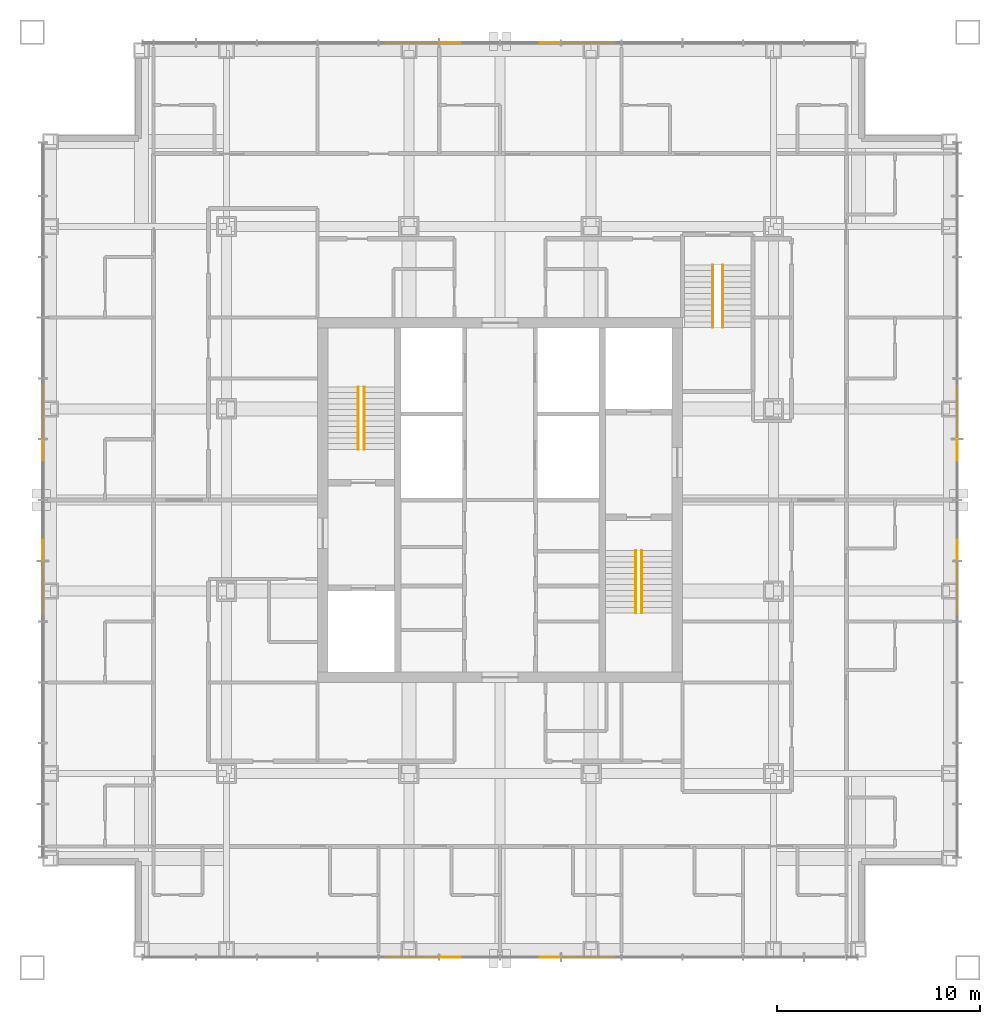
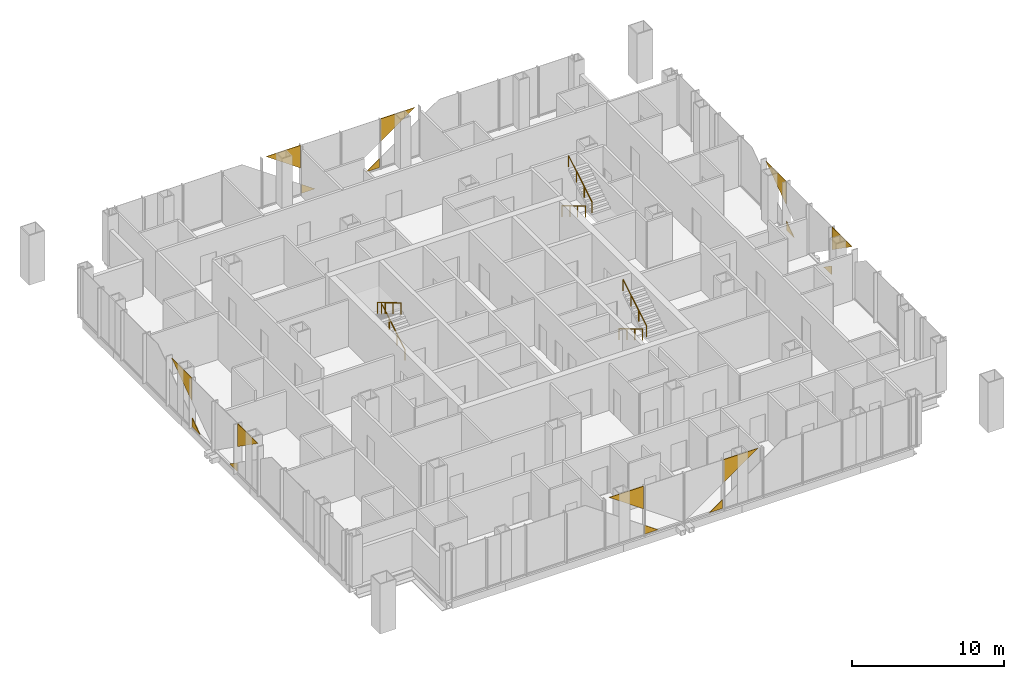
# One storey, part 17 of 17: 16 coverings, 6 railings.
"""IFC4 building model written with IfcOpenShell, lengths in metres."""

from ifc_helpers import new_model, si_unit, direction, frame, origin, origin_2d, place, context, subcontext, project, spatial, polyline, circle, outline, extrude, material, layer, layer_set, type_object, element, save


model = new_model("IFC4")

# Units and contexts
model_context = context("Model", 3, precision=1e-05, world=origin(), true_north=direction((0.0, 1.0)))
body_context = subcontext(model_context, "Body", "Model", "MODEL_VIEW")
ifc_project = project(units=[si_unit("LENGTHUNIT", "METRE"), si_unit("AREAUNIT", "SQUARE_METRE"), si_unit("VOLUMEUNIT", "CUBIC_METRE"), si_unit("PLANEANGLEUNIT", "RADIAN"), si_unit("MASSUNIT", "GRAM", prefix="KILO")], contexts=[model_context])

# Site, building, storey
site_placement = place(None, origin())
site = spatial("IfcSite", under=ifc_project, at=site_placement, CompositionType="ELEMENT")
building_placement = place(site_placement, origin())
building = spatial("IfcBuilding", under=site, at=building_placement, Name="Malebo Sky Hospital", CompositionType="ELEMENT")
storey_placement = place(building_placement, frame((0.0, 0.0, 193.0)))
storey = spatial("IfcBuildingStorey", under=building, at=storey_placement, Name="L46", CompositionType="ELEMENT", Elevation=193.0)

# Coverings
ifc_material_1 = material(Name="Anodised aluminium, natural silver insulated infill panel", Category="aluminium")
ifc_layer = layer(ifc_material_1, 0.0400390625)
ifc_layer_set = layer_set([ifc_layer], Name="BRACE INFILL PANEL 40")
covering_type = type_object("IfcCoveringType", Name="BRACE INFILL PANEL 40", PredefinedType="CLADDING", material=ifc_layer_set)
covering_1_placement = place(storey_placement, frame((55.6533203125, 84.574951171875, 2.150634765625), z_axis=(0.0, 0.0, 1.0), x_axis=(1.0, 0.0, 0.0)))
element("IfcCovering", 1, at=covering_1_placement, inside=storey, type_object=covering_type, Name="Brace infill panel 6.1", PredefinedType="CLADDING", context=body_context, shape_type="SweptSolid", body=[
    extrude(outline(polyline([(1.309326171875, 0.0), (1.309326171875, 1.83935546875), (-1.309326171875, 1.83935546875), (1.309326171875, 0.0)])), frame((0.0, 0.02001953125, 0.0), z_axis=(0.0, -1.0, 0.0), x_axis=(1.0, 0.0, 0.0)), (0.0, 0.0, 1.0), 0.0400390625),
])
covering_2_placement = place(storey_placement, frame((57.54541015625, 84.574951171875, 0.10009765625), z_axis=(0.0, 0.0, 1.0), x_axis=(1.0, 0.0, 0.0)))
element("IfcCovering", 2, at=covering_2_placement, inside=storey, type_object=covering_type, Name="Brace infill panel 7.1", PredefinedType="CLADDING", context=body_context, shape_type="SweptSolid", body=[
    extrude(outline(polyline([(-0.508056640625, 0.0), (0.508056640625, 0.0), (-0.508056640625, 0.713623046875), (-0.508056640625, 0.0)])), frame((0.0, 0.02001953125, 0.0), z_axis=(0.0, -1.0, 0.0), x_axis=(1.0, 0.0, 0.0)), (0.0, 0.0, 1.0), 0.0400390625),
])
covering_3_placement = place(storey_placement, frame((62.45458984375, 84.574951171875, 0.10009765625), z_axis=(0.0, 0.0, 1.0), x_axis=(1.0, 0.0, 0.0)))
element("IfcCovering", 3, at=covering_3_placement, inside=storey, type_object=covering_type, Name="Brace infill panel 8.1", PredefinedType="CLADDING", context=body_context, shape_type="SweptSolid", body=[
    extrude(outline(polyline([(-0.508056640625, 0.0), (0.508056640625, 0.0), (0.508056640625, 0.713623046875), (-0.508056640625, 0.0)])), frame((0.0, 0.02001953125, 0.0), z_axis=(0.0, -1.0, 0.0), x_axis=(1.0, 0.0, 0.0)), (0.0, 0.0, 1.0), 0.0400390625),
])
covering_4_placement = place(storey_placement, frame((64.3466796875, 84.574951171875, 2.150634765625), z_axis=(0.0, 0.0, 1.0), x_axis=(1.0, 0.0, 0.0)))
element("IfcCovering", 4, at=covering_4_placement, inside=storey, type_object=covering_type, Name="Brace infill panel 9.1", PredefinedType="CLADDING", context=body_context, shape_type="SweptSolid", body=[
    extrude(outline(polyline([(-1.309326171875, 0.0), (1.309326171875, 1.83935546875), (-1.309326171875, 1.83935546875), (-1.309326171875, 0.0)])), frame((0.0, 0.02001953125, 0.0), z_axis=(0.0, -1.0, 0.0), x_axis=(1.0, 0.0, 0.0)), (0.0, 0.0, 1.0), 0.0400390625),
])
covering_5_placement = place(storey_placement, frame((37.425048828125, 57.6533203125, 2.150634765625), z_axis=(0.0, 0.0, 1.0), x_axis=(0.0, 1.0, 0.0)))
element("IfcCovering", 5, at=covering_5_placement, inside=storey, type_object=covering_type, Name="Brace infill panel 6.1", PredefinedType="CLADDING", context=body_context, shape_type="SweptSolid", body=[
    extrude(outline(polyline([(1.309326171875, 0.0), (1.309326171875, 1.83935546875), (-1.309326171875, 1.83935546875), (1.309326171875, 0.0)])), frame((0.0, 0.02001953125, 0.0), z_axis=(0.0, -1.0, 0.0), x_axis=(1.0, 0.0, 0.0)), (0.0, 0.0, 1.0), 0.0400390625),
])
covering_6_placement = place(storey_placement, frame((37.425048828125, 59.54541015625, 0.10009765625), z_axis=(0.0, 0.0, 1.0), x_axis=(0.0, 1.0, 0.0)))
element("IfcCovering", 6, at=covering_6_placement, inside=storey, type_object=covering_type, Name="Brace infill panel 7.1", PredefinedType="CLADDING", context=body_context, shape_type="SweptSolid", body=[
    extrude(outline(polyline([(-0.508056640625, 0.0), (0.508056640625, 0.0), (-0.508056640625, 0.713623046875), (-0.508056640625, 0.0)])), frame((0.0, 0.02001953125, 0.0), z_axis=(0.0, -1.0, 0.0), x_axis=(1.0, 0.0, 0.0)), (0.0, 0.0, 1.0), 0.0400390625),
])
covering_7_placement = place(storey_placement, frame((37.425048828125, 64.45458984375, 0.10009765625), z_axis=(0.0, 0.0, 1.0), x_axis=(0.0, 1.0, 0.0)))
element("IfcCovering", 7, at=covering_7_placement, inside=storey, type_object=covering_type, Name="Brace infill panel 8.1", PredefinedType="CLADDING", context=body_context, shape_type="SweptSolid", body=[
    extrude(outline(polyline([(-0.508056640625, 0.0), (0.508056640625, 0.0), (0.508056640625, 0.713623046875), (-0.508056640625, 0.0)])), frame((0.0, 0.02001953125, 0.0), z_axis=(0.0, -1.0, 0.0), x_axis=(1.0, 0.0, 0.0)), (0.0, 0.0, 1.0), 0.0400390625),
])
covering_8_placement = place(storey_placement, frame((37.425048828125, 66.3466796875, 2.150634765625), z_axis=(0.0, 0.0, 1.0), x_axis=(0.0, 1.0, 0.0)))
element("IfcCovering", 8, at=covering_8_placement, inside=storey, type_object=covering_type, Name="Brace infill panel 9.1", PredefinedType="CLADDING", context=body_context, shape_type="SweptSolid", body=[
    extrude(outline(polyline([(-1.309326171875, 0.0), (1.309326171875, 1.83935546875), (-1.309326171875, 1.83935546875), (-1.309326171875, 0.0)])), frame((0.0, 0.02001953125, 0.0), z_axis=(0.0, -1.0, 0.0), x_axis=(1.0, 0.0, 0.0)), (0.0, 0.0, 1.0), 0.0400390625),
])
covering_9_placement = place(storey_placement, frame((64.3466796875, 39.425048828125, 2.150634765625), z_axis=(0.0, 0.0, 1.0), x_axis=(-1.0, 0.0, 0.0)))
element("IfcCovering", 9, at=covering_9_placement, inside=storey, type_object=covering_type, Name="Brace infill panel 6.1", PredefinedType="CLADDING", context=body_context, shape_type="SweptSolid", body=[
    extrude(outline(polyline([(1.309326171875, 0.0), (1.309326171875, 1.83935546875), (-1.309326171875, 1.83935546875), (1.309326171875, 0.0)])), frame((0.0, 0.02001953125, 0.0), z_axis=(0.0, -1.0, 0.0), x_axis=(1.0, 0.0, 0.0)), (0.0, 0.0, 1.0), 0.0400390625),
])
covering_10_placement = place(storey_placement, frame((62.45458984375, 39.425048828125, 0.10009765625), z_axis=(0.0, 0.0, 1.0), x_axis=(-1.0, 0.0, 0.0)))
element("IfcCovering", 10, at=covering_10_placement, inside=storey, type_object=covering_type, Name="Brace infill panel 7.1", PredefinedType="CLADDING", context=body_context, shape_type="SweptSolid", body=[
    extrude(outline(polyline([(-0.508056640625, 0.0), (0.508056640625, 0.0), (-0.508056640625, 0.713623046875), (-0.508056640625, 0.0)])), frame((0.0, 0.02001953125, 0.0), z_axis=(0.0, -1.0, 0.0), x_axis=(1.0, 0.0, 0.0)), (0.0, 0.0, 1.0), 0.0400390625),
])
covering_11_placement = place(storey_placement, frame((57.54541015625, 39.425048828125, 0.10009765625), z_axis=(0.0, 0.0, 1.0), x_axis=(-1.0, 0.0, 0.0)))
element("IfcCovering", 11, at=covering_11_placement, inside=storey, type_object=covering_type, Name="Brace infill panel 8.1", PredefinedType="CLADDING", context=body_context, shape_type="SweptSolid", body=[
    extrude(outline(polyline([(-0.508056640625, 0.0), (0.508056640625, 0.0), (0.508056640625, 0.713623046875), (-0.508056640625, 0.0)])), frame((0.0, 0.02001953125, 0.0), z_axis=(0.0, -1.0, 0.0), x_axis=(1.0, 0.0, 0.0)), (0.0, 0.0, 1.0), 0.0400390625),
])
covering_12_placement = place(storey_placement, frame((55.6533203125, 39.425048828125, 2.150634765625), z_axis=(0.0, 0.0, 1.0), x_axis=(-1.0, 0.0, 0.0)))
element("IfcCovering", 12, at=covering_12_placement, inside=storey, type_object=covering_type, Name="Brace infill panel 9.1", PredefinedType="CLADDING", context=body_context, shape_type="SweptSolid", body=[
    extrude(outline(polyline([(-1.309326171875, 0.0), (1.309326171875, 1.83935546875), (-1.309326171875, 1.83935546875), (-1.309326171875, 0.0)])), frame((0.0, 0.02001953125, 0.0), z_axis=(0.0, -1.0, 0.0), x_axis=(1.0, 0.0, 0.0)), (0.0, 0.0, 1.0), 0.0400390625),
])
covering_13_placement = place(storey_placement, frame((82.574951171875, 66.3466796875, 2.150634765625), z_axis=(0.0, 0.0, 1.0), x_axis=(0.0, -1.0, 0.0)))
element("IfcCovering", 13, at=covering_13_placement, inside=storey, type_object=covering_type, Name="Brace infill panel 6.1", PredefinedType="CLADDING", context=body_context, shape_type="SweptSolid", body=[
    extrude(outline(polyline([(1.309326171875, 0.0), (1.309326171875, 1.83935546875), (-1.309326171875, 1.83935546875), (1.309326171875, 0.0)])), frame((0.0, 0.02001953125, 0.0), z_axis=(0.0, -1.0, 0.0), x_axis=(1.0, 0.0, 0.0)), (0.0, 0.0, 1.0), 0.0400390625),
])
covering_14_placement = place(storey_placement, frame((82.574951171875, 64.45458984375, 0.10009765625), z_axis=(0.0, 0.0, 1.0), x_axis=(0.0, -1.0, 0.0)))
element("IfcCovering", 14, at=covering_14_placement, inside=storey, type_object=covering_type, Name="Brace infill panel 7.1", PredefinedType="CLADDING", context=body_context, shape_type="SweptSolid", body=[
    extrude(outline(polyline([(-0.508056640625, 0.0), (0.508056640625, 0.0), (-0.508056640625, 0.713623046875), (-0.508056640625, 0.0)])), frame((0.0, 0.02001953125, 0.0), z_axis=(0.0, -1.0, 0.0), x_axis=(1.0, 0.0, 0.0)), (0.0, 0.0, 1.0), 0.0400390625),
])
covering_15_placement = place(storey_placement, frame((82.574951171875, 59.54541015625, 0.10009765625), z_axis=(0.0, 0.0, 1.0), x_axis=(0.0, -1.0, 0.0)))
element("IfcCovering", 15, at=covering_15_placement, inside=storey, type_object=covering_type, Name="Brace infill panel 8.1", PredefinedType="CLADDING", context=body_context, shape_type="SweptSolid", body=[
    extrude(outline(polyline([(-0.508056640625, 0.0), (0.508056640625, 0.0), (0.508056640625, 0.713623046875), (-0.508056640625, 0.0)])), frame((0.0, 0.02001953125, 0.0), z_axis=(0.0, -1.0, 0.0), x_axis=(1.0, 0.0, 0.0)), (0.0, 0.0, 1.0), 0.0400390625),
])
covering_16_placement = place(storey_placement, frame((82.574951171875, 57.6533203125, 2.150634765625), z_axis=(0.0, 0.0, 1.0), x_axis=(0.0, -1.0, 0.0)))
element("IfcCovering", 16, at=covering_16_placement, inside=storey, type_object=covering_type, Name="Brace infill panel 9.1", PredefinedType="CLADDING", context=body_context, shape_type="SweptSolid", body=[
    extrude(outline(polyline([(-1.309326171875, 0.0), (1.309326171875, 1.83935546875), (-1.309326171875, 1.83935546875), (-1.309326171875, 0.0)])), frame((0.0, 0.02001953125, 0.0), z_axis=(0.0, -1.0, 0.0), x_axis=(1.0, 0.0, 0.0)), (0.0, 0.0, 1.0), 0.0400390625),
])

# Railings
ifc_material_2 = material(Name="Stainless steel tube", Category="steel")
railing_type = type_object("IfcRailingType", Name="STAIR HANDRAIL 900", PredefinedType="HANDRAIL", material=ifc_material_2)
railing_1_placement = place(storey_placement, frame((53.300048828125, 64.5, 0.166748046875)))
element("IfcRailing", 17, at=railing_1_placement, inside=storey, type_object=railing_type, Name="Stair handrail S1 flight 1", PredefinedType="HANDRAIL", context=body_context, shape_type="SweptSolid", body=[
    extrude(circle(Radius=0.02392578125, at=origin_2d()), frame((0.0, 0.0, 0.8759765625), z_axis=(0.0, 0.859308565015, 0.511457515432), x_axis=(-1.0, 0.0, 0.0)), (0.0, 0.0, 1.0), 3.58447265625),
    extrude(circle(Radius=0.02099609375, at=origin_2d()), origin(), (0.0, 0.0, 1.0), 0.851806640625),
    extrude(circle(Radius=0.02099609375, at=origin_2d()), frame((0.0, 1.026611328125, 0.611083984375)), (0.0, 0.0, 1.0), 0.851806640625),
    extrude(circle(Radius=0.02099609375, at=origin_2d()), frame((0.0, 2.053466796875, 1.22216796875)), (0.0, 0.0, 1.0), 0.851806640625),
    extrude(circle(Radius=0.02099609375, at=origin_2d()), frame((0.0, 3.080078125, 1.833251953125)), (0.0, 0.0, 1.0), 0.851806640625),
])
for number, where, name in (
    (18, (53.0, 67.580078125, 2.166748046875), "Stair handrail S1 flight 2"),
    (19, (66.699951171875, 59.5, 0.166748046875), "Stair handrail S2 flight 1"),
):
    element("IfcRailing", number, at=place(storey_placement, frame(where)), inside=storey, type_object=railing_type, Name=name, PredefinedType="HANDRAIL", context=body_context, shape_type="SweptSolid", body=[
        extrude(circle(Radius=0.02392578125, at=origin_2d()), frame((0.0, 0.0, 0.8759765625), z_axis=(0.0, -0.859308565015, 0.511457515432), x_axis=(1.0, 0.0, 0.0)), (0.0, 0.0, 1.0), 3.58447265625),
        extrude(circle(Radius=0.02099609375, at=origin_2d()), origin(), (0.0, 0.0, 1.0), 0.851806640625),
        extrude(circle(Radius=0.02099609375, at=origin_2d()), frame((0.0, -1.026611328125, 0.611083984375)), (0.0, 0.0, 1.0), 0.851806640625),
        extrude(circle(Radius=0.02099609375, at=origin_2d()), frame((0.0, -2.053466796875, 1.22216796875)), (0.0, 0.0, 1.0), 0.851806640625),
        extrude(circle(Radius=0.02099609375, at=origin_2d()), frame((0.0, -3.080078125, 1.833251953125)), (0.0, 0.0, 1.0), 0.851806640625),
    ])
railing_2_placement = place(storey_placement, frame((67.0, 56.419921875, 2.166748046875)))
element("IfcRailing", 20, at=railing_2_placement, inside=storey, type_object=railing_type, Name="Stair handrail S2 flight 2", PredefinedType="HANDRAIL", context=body_context, shape_type="SweptSolid", body=[
    extrude(circle(Radius=0.02392578125, at=origin_2d()), frame((0.0, 0.0, 0.8759765625), z_axis=(0.0, 0.859308565015, 0.511457515432), x_axis=(-1.0, 0.0, 0.0)), (0.0, 0.0, 1.0), 3.58447265625),
    extrude(circle(Radius=0.02099609375, at=origin_2d()), origin(), (0.0, 0.0, 1.0), 0.851806640625),
    extrude(circle(Radius=0.02099609375, at=origin_2d()), frame((0.0, 1.026611328125, 0.611083984375)), (0.0, 0.0, 1.0), 0.851806640625),
    extrude(circle(Radius=0.02099609375, at=origin_2d()), frame((0.0, 2.053466796875, 1.22216796875)), (0.0, 0.0, 1.0), 0.851806640625),
    extrude(circle(Radius=0.02099609375, at=origin_2d()), frame((0.0, 3.080078125, 1.833251953125)), (0.0, 0.0, 1.0), 0.851806640625),
])
railing_3_placement = place(storey_placement, frame((70.5, 73.60009765625, 0.166748046875)))
element("IfcRailing", 21, at=railing_3_placement, inside=storey, type_object=railing_type, Name="Stair handrail S3 flight 1", PredefinedType="HANDRAIL", context=body_context, shape_type="SweptSolid", body=[
    extrude(circle(Radius=0.02392578125, at=origin_2d()), frame((0.0, 0.0, 0.8759765625), z_axis=(0.0, -0.859308565015, 0.511457515432), x_axis=(1.0, 0.0, 0.0)), (0.0, 0.0, 1.0), 3.58447265625),
    extrude(circle(Radius=0.02099609375, at=origin_2d()), origin(), (0.0, 0.0, 1.0), 0.851806640625),
    extrude(circle(Radius=0.02099609375, at=origin_2d()), frame((0.0, -1.026611328125, 0.611083984375)), (0.0, 0.0, 1.0), 0.851806640625),
    extrude(circle(Radius=0.02099609375, at=origin_2d()), frame((0.0, -2.053466796875, 1.22216796875)), (0.0, 0.0, 1.0), 0.851806640625),
    extrude(circle(Radius=0.02099609375, at=origin_2d()), frame((0.0, -3.080078125, 1.833251953125)), (0.0, 0.0, 1.0), 0.851806640625),
])
railing_4_placement = place(storey_placement, frame((71.0, 70.52001953125, 2.166748046875)))
element("IfcRailing", 22, at=railing_4_placement, inside=storey, type_object=railing_type, Name="Stair handrail S3 flight 2", PredefinedType="HANDRAIL", context=body_context, shape_type="SweptSolid", body=[
    extrude(circle(Radius=0.02392578125, at=origin_2d()), frame((0.0, 0.0, 0.8759765625), z_axis=(0.0, 0.859308565015, 0.511457515432), x_axis=(-1.0, 0.0, 0.0)), (0.0, 0.0, 1.0), 3.58447265625),
    extrude(circle(Radius=0.02099609375, at=origin_2d()), origin(), (0.0, 0.0, 1.0), 0.851806640625),
    extrude(circle(Radius=0.02099609375, at=origin_2d()), frame((0.0, 1.026611328125, 0.611083984375)), (0.0, 0.0, 1.0), 0.851806640625),
    extrude(circle(Radius=0.02099609375, at=origin_2d()), frame((0.0, 2.053466796875, 1.22216796875)), (0.0, 0.0, 1.0), 0.851806640625),
    extrude(circle(Radius=0.02099609375, at=origin_2d()), frame((0.0, 3.080078125, 1.833251953125)), (0.0, 0.0, 1.0), 0.851806640625),
])

save(model, "model.ifc")
